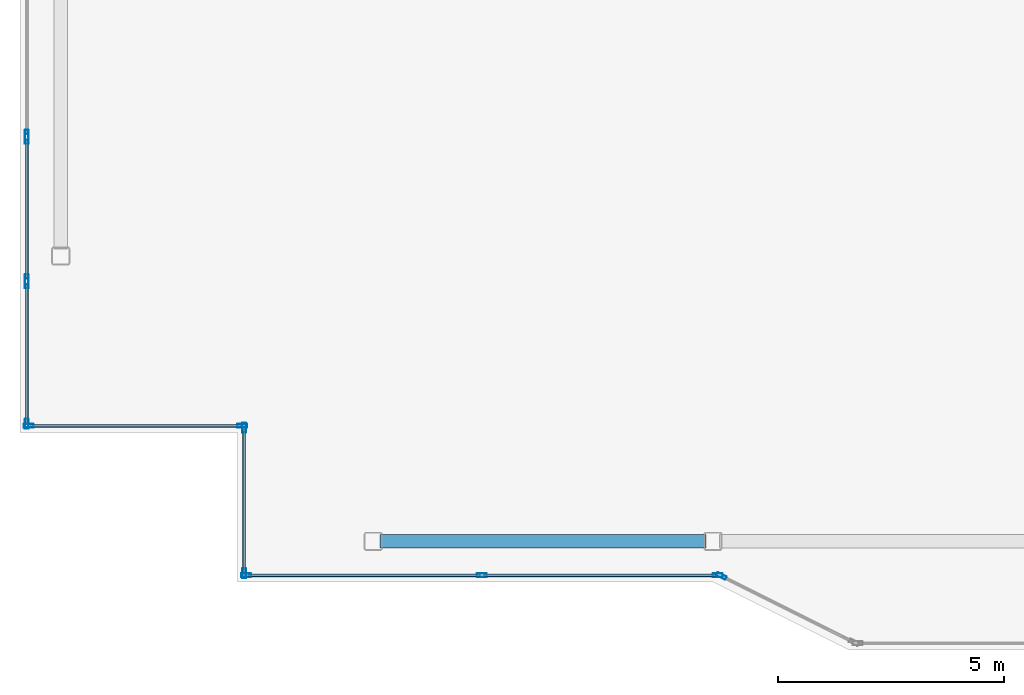
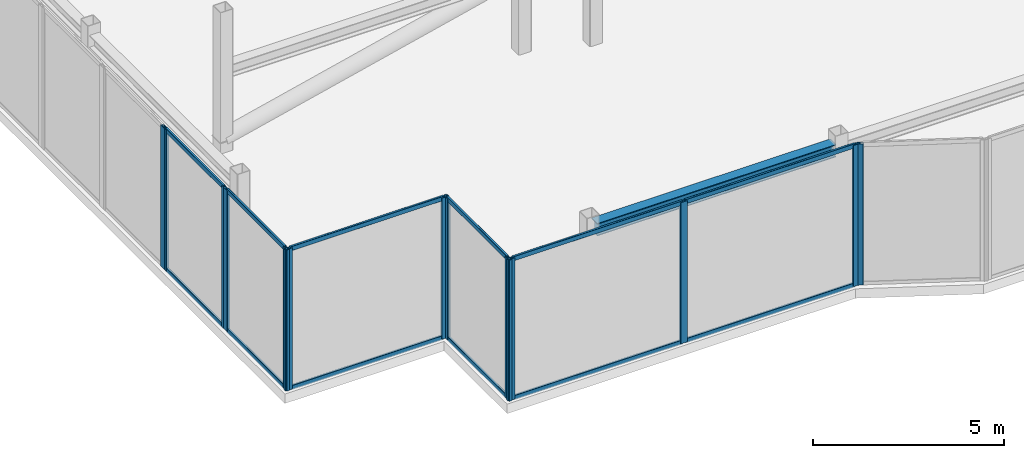
# One storey, part 2 of 14: 25 members, 1 beam, 7 elements without a shape of their own.
"""IFC4 building model written with IfcOpenShell, lengths in metres."""

import ifcopenshell
import ifcopenshell.guid

model = None  # the IFC model being written
_history = None  # IfcOwnerHistory: only IFC2X3 demands one
_inside = {}  # id of a spatial element -> (the spatial element, [elements in it])
_under = {}  # id of a project, library or spatial element -> (it, [spatial elements below it])
_declared = {}  # id of a project -> (the project, [libraries it declares])
_typed = {}  # id of a type object -> (the type object, [elements of that type])
_made_of = {}  # id of a material, layer set ... -> (it, [elements and type objects made of it])


def new_model(schema):
    """Start an empty IFC model of exactly this schema.

    Asked for "IFC4X3", IfcOpenShell would pick the latest addendum, in which some entities
    have other attributes; the version numbers below select the first issue.
    IFC2X3 requires an IfcOwnerHistory on every rooted entity: one is made here for all.
    """
    global model, _history
    if schema == "IFC4X3":
        model = ifcopenshell.file(schema_version=(4, 3, 0, 0))
    else:
        model = ifcopenshell.file(schema=schema)
    _inside.clear()
    _under.clear()
    _declared.clear()
    _typed.clear()
    _made_of.clear()
    _history = None
    if model.schema == "IFC2X3":
        org = make("IfcOrganization", Name="unknown")
        user = make(
            "IfcPersonAndOrganization",
            ThePerson=make("IfcPerson", FamilyName="unknown"),
            TheOrganization=org,
        )
        app = make(
            "IfcApplication",
            ApplicationDeveloper=org,
            Version="unknown",
            ApplicationFullName="unknown",
            ApplicationIdentifier="unknown",
        )
        _history = make(
            "IfcOwnerHistory",
            OwningUser=user,
            OwningApplication=app,
            ChangeAction="ADDED",
            CreationDate=0,
        )
    return model


def make(cls, **values):
    """One entity of the class cls with the attributes given. An attribute that is None is left unset."""
    return model.create_entity(
        cls, **{name: value for name, value in values.items() if value is not None}
    )


def rooted(cls, **values):
    """An entity with a GlobalId (a new one), such as an element, a storey or a relation."""
    return make(cls, GlobalId=ifcopenshell.guid.new(), OwnerHistory=_history, **values)


def si_unit(unit_type, name, prefix=None):
    """IfcSIUnit, for example si_unit("LENGTHUNIT", "METRE", prefix="MILLI")."""
    return make("IfcSIUnit", UnitType=unit_type, Prefix=prefix, Name=name)


def assignment(units):
    """IfcUnitAssignment: the units of a project."""
    return None if units is None else make("IfcUnitAssignment", Units=units)


def point(xyz):
    """IfcCartesianPoint."""
    return None if xyz is None else make("IfcCartesianPoint", Coordinates=xyz)


def direction(xyz):
    """IfcDirection."""
    return None if xyz is None else make("IfcDirection", DirectionRatios=xyz)


def frame(location, z_axis=None, x_axis=None):
    """IfcAxis2Placement3D, a coordinate frame: its origin and axes. An axis left out is left unset."""
    return make(
        "IfcAxis2Placement3D",
        Location=point(location),
        Axis=direction(z_axis),
        RefDirection=direction(x_axis),
    )


def frame_2d(location, x_axis=None):
    """IfcAxis2Placement2D, a coordinate frame in the plane: its origin and x axis."""
    return make(
        "IfcAxis2Placement2D", Location=point(location), RefDirection=direction(x_axis)
    )


def origin():
    """The frame at (0, 0, 0) with its axes left unset."""
    return frame((0.0, 0.0, 0.0))


def origin_2d():
    """The frame at (0, 0) in the plane with its x axis left unset."""
    return frame_2d((0.0, 0.0))


def place(relative_to, where):
    """IfcLocalPlacement: puts the frame where relative to a parent placement (None: the world)."""
    return make(
        "IfcLocalPlacement", PlacementRelTo=relative_to, RelativePlacement=where
    )


def context(
    kind, dimensions, precision=None, world=None, true_north=None, identifier=None
):
    """IfcGeometricRepresentationContext, for example the 3D "Model" context."""
    return make(
        "IfcGeometricRepresentationContext",
        ContextIdentifier=identifier,
        ContextType=kind,
        CoordinateSpaceDimension=dimensions,
        Precision=precision,
        WorldCoordinateSystem=world,
        TrueNorth=true_north,
    )


def subcontext(parent, identifier, kind, view, scale=None):
    """IfcGeometricRepresentationSubContext, for example "Body" below "Model"."""
    return make(
        "IfcGeometricRepresentationSubContext",
        ContextIdentifier=identifier,
        ContextType=kind,
        ParentContext=parent,
        TargetScale=scale,
        TargetView=view,
    )


def project(units=None, contexts=None):
    """IfcProject with its units and contexts."""
    return rooted(
        "IfcProject",
        Name="project",
        RepresentationContexts=contexts,
        UnitsInContext=assignment(units),
    )


def spatial(cls, under=None, at=None, **own):
    """A site, building, storey or space (cls), placed at a placement, below another one or the project."""
    s = rooted(cls, ObjectPlacement=at, **own)
    if under is not None:
        _under.setdefault(under.id(), (under, []))[1].append(s)
    return s


def profile(cls, at=None, kind="AREA", **sizes):
    """A parametric profile (cls). Its sizes go by their IFC names, for example OverallWidth=200.0."""
    return make(cls, ProfileType=kind, Position=at, **sizes)


def hollow_rectangle(**sizes):
    """IfcRectangleHollowProfileDef."""
    return profile("IfcRectangleHollowProfileDef", **sizes)


def i_section(**sizes):
    """IfcIShapeProfileDef."""
    return profile("IfcIShapeProfileDef", **sizes)


def extrude(swept, where, along, depth):
    """IfcExtrudedAreaSolid: the profile swept, set in the frame where, extruded along a direction by depth."""
    return make(
        "IfcExtrudedAreaSolid",
        SweptArea=swept,
        Position=where,
        ExtrudedDirection=direction(along),
        Depth=depth,
    )


def shape(context_of_items, identifier, shape_type, items):
    """IfcShapeRepresentation: the items that make up one representation, for example the "Body"."""
    return make(
        "IfcShapeRepresentation",
        ContextOfItems=context_of_items,
        RepresentationIdentifier=identifier,
        RepresentationType=shape_type,
        Items=items,
    )


def material(Name=None, Category=None):
    """IfcMaterial."""
    return make("IfcMaterial", Name=Name, Category=Category)


def layer(
    of_material, thickness, ventilated=None, Name=None, Category=None, Priority=None
):
    """IfcMaterialLayer: one layer of a wall or slab, of a material (None: an air gap)."""
    return make(
        "IfcMaterialLayer",
        Material=of_material,
        LayerThickness=thickness,
        IsVentilated=ventilated,
        Name=Name,
        Category=Category,
        Priority=Priority,
    )


def layer_set(layers, Name=None):
    """IfcMaterialLayerSet."""
    return make("IfcMaterialLayerSet", MaterialLayers=layers, LayerSetName=Name)


def material_profile(
    of_material, cross_section, Name=None, Category=None, Priority=None
):
    """IfcMaterialProfile: a cross section and its material."""
    return make(
        "IfcMaterialProfile",
        Name=Name,
        Material=of_material,
        Profile=cross_section,
        Priority=Priority,
        Category=Category,
    )


def profile_set(profiles, Name=None, composite=None):
    """IfcMaterialProfileSet."""
    return make(
        "IfcMaterialProfileSet",
        Name=Name,
        MaterialProfiles=profiles,
        CompositeProfile=composite,
    )


def made_of(thing, what):
    """Note that an element or type object is made of a material, layer set ...; save() writes the relation."""
    if what is not None:
        _made_of.setdefault(what.id(), (what, []))[1].append(thing)
    return thing


def type_object(cls, material=None, **own):
    """A type object (cls), such as IfcWallType, which elements share."""
    return made_of(rooted(cls, **own), material)


def element(
    cls,
    number,
    at=None,
    inside=None,
    cuts=None,
    type_object=None,
    material=None,
    context=None,
    identifier="Body",
    shape_type=None,
    held_by="IfcProductDefinitionShape",
    body=None,
    shapes=None,
    **own,
):
    """One element of the class cls, such as IfcWall. Its Tag is "e" and its number.

    at: its placement. inside: the storey or other place that contains it. cuts: it is an
    opening in that element (IfcRelVoidsElement). A single representation is given by context,
    identifier, shape_type and body (its items); several are given by shapes. held_by: the class
    of the entity that holds the representations. save() writes the other relations.
    """
    e = rooted(cls, Tag="e%d" % number, ObjectPlacement=at, **own)
    if body is not None:
        shapes = [shape(context, identifier, shape_type, body)]
    if shapes is not None:
        e.Representation = make(held_by, Representations=shapes)
    if inside is not None:
        _inside.setdefault(inside.id(), (inside, []))[1].append(e)
    if cuts is not None:
        rooted(
            "IfcRelVoidsElement", RelatingBuildingElement=cuts, RelatedOpeningElement=e
        )
    if type_object is not None:
        _typed.setdefault(type_object.id(), (type_object, []))[1].append(e)
    return made_of(e, material)


def aggregate(whole, parts):
    """IfcRelAggregates: a whole, such as a stair, and the parts it consists of."""
    return rooted("IfcRelAggregates", RelatingObject=whole, RelatedObjects=parts)


def save(model, path):
    """Write the relations noted so far, then the file.

    IfcRelAggregates (storeys below a building ...), IfcRelContainedInSpatialStructure (elements
    in a storey), IfcRelDefinesByType, IfcRelAssociatesMaterial and IfcRelDeclares: one each for
    every whole, place, type object, material and project.
    """
    for whole, parts in _under.values():
        aggregate(whole, parts)
    for where, things in _inside.values():
        rooted(
            "IfcRelContainedInSpatialStructure",
            RelatedElements=things,
            RelatingStructure=where,
        )
    for kind, things in _typed.values():
        rooted("IfcRelDefinesByType", RelatedObjects=things, RelatingType=kind)
    for what, things in _made_of.values():
        rooted("IfcRelAssociatesMaterial", RelatedObjects=things, RelatingMaterial=what)
    for by, libraries in _declared.values():
        rooted("IfcRelDeclares", RelatingContext=by, RelatedDefinitions=libraries)
    model.write(path)


model = new_model("IFC4")

# Units and contexts
model_context = context("Model", 3, precision=1e-05, world=origin(), true_north=direction((0.0, 1.0)))
body_context = subcontext(model_context, "Body", "Model", "MODEL_VIEW")
ifc_project = project(units=[si_unit("LENGTHUNIT", "METRE"), si_unit("AREAUNIT", "SQUARE_METRE"), si_unit("VOLUMEUNIT", "CUBIC_METRE"), si_unit("PLANEANGLEUNIT", "RADIAN"), si_unit("MASSUNIT", "GRAM", prefix="KILO")], contexts=[model_context])

# Site, building, storey
site_placement = place(None, origin())
site = spatial("IfcSite", under=ifc_project, at=site_placement, CompositionType="ELEMENT")
building_placement = place(site_placement, origin())
building = spatial("IfcBuilding", under=site, at=building_placement, Name="Tarnavaz Court Tower", CompositionType="ELEMENT")
storey_placement = place(building_placement, frame((0.0, 0.0, 286.050048828125)))
storey = spatial("IfcBuildingStorey", under=building, at=storey_placement, Name="C02", CompositionType="ELEMENT", Elevation=286.050048828125)

# Beam
ifc_material_1 = material(Name="Steel S355", Category="steel")
ifc_material_profile_1 = material_profile(ifc_material_1, i_section(OverallWidth=0.300048828125, OverallDepth=0.39990234375, WebThickness=0.013427734375, FlangeThickness=0.02392578125, FilletRadius=0.027099609375, at=origin_2d()), Name="HEB 400")
ifc_profile_set_1 = profile_set([ifc_material_profile_1], Name="Steel S355")
beam_type = type_object("IfcBeamType", Name="BM-G-HEB400", PredefinedType="USERDEFINED", material=ifc_profile_set_1)
beam_placement = place(storey_placement, frame((-14.85009765625, -20.10009765625, 4.0), z_axis=(1.0, 0.0, 0.0), x_axis=(0.0, 1.0, 0.0)))
element("IfcBeam", 1, at=beam_placement, inside=storey, type_object=beam_type, Name="C02 Beam CRG-PS-1-PS-2", ObjectType="GIRDER", PredefinedType="USERDEFINED", context=body_context, shape_type="SweptSolid", body=[
    extrude(i_section(OverallWidth=0.300048828125, OverallDepth=0.39990234375, WebThickness=0.013427734375, FlangeThickness=0.02392578125, FilletRadius=0.027099609375, at=origin_2d()), origin(), (0.0, 0.0, 1.0), 7.2001953125),
])

# Curtain wall, members
ifc_material_2 = material(Name="Anodised Aluminium 6063-T6 and Solar Low-E Glazing", Category="aluminium")
ifc_layer = layer(ifc_material_2, 0.2099609375)
ifc_layer_set = layer_set([ifc_layer], Name="Anodised Aluminium 6063-T6 and Solar Low-E Glazing")
curtain_wall_type = type_object("IfcCurtainWallType", Name="CW-SYS-06", PredefinedType="NOTDEFINED", material=ifc_layer_set)
curtain_wall_1_placement = place(storey_placement, origin())
curtain_wall_1 = element("IfcCurtainWall", 2, at=curtain_wall_1_placement, inside=storey, type_object=curtain_wall_type, Name="C02 Slanted Crown Terracotta Curtain Wall 1", PredefinedType="NOTDEFINED")
ifc_material_3 = material(Name="Anodised Aluminium 6063-T6", Category="aluminium")
ifc_material_profile_2 = material_profile(ifc_material_3, hollow_rectangle(XDim=0.0849609375, YDim=0.219970703125, WallThickness=0.006103515625, InnerFilletRadius=0.006103515625, OuterFilletRadius=0.011962890625, at=origin_2d()), Name="ALU RHS 220X85X6")
ifc_profile_set_2 = profile_set([ifc_material_profile_2], Name="Anodised Aluminium 6063-T6")
member_type_1 = type_object("IfcMemberType", Name="CW-MUL-220", PredefinedType="MULLION", material=ifc_profile_set_2)
member_1_placement = place(storey_placement, frame((-7.392578125, -20.85009765625, 0.0), z_axis=(0.0, 0.0, 1.0), x_axis=(0.0, -1.0, 0.0)))
member_1 = element("IfcMember", 3, at=member_1_placement, type_object=member_type_1, Name="CW mullion 1", PredefinedType="MULLION", context=body_context, shape_type="SweptSolid", body=[
    extrude(hollow_rectangle(XDim=0.0849609375, YDim=0.219970703125, WallThickness=0.006103515625, InnerFilletRadius=0.006103515625, OuterFilletRadius=0.011962890625, at=origin_2d()), origin(), (0.0, 0.0, 1.0), 4.5),
])
member_2_placement = place(storey_placement, frame((-12.60009765625, -20.85009765625, 0.0), z_axis=(0.0, 0.0, 1.0), x_axis=(0.0, -1.0, 0.0)))
member_2 = element("IfcMember", 4, at=member_2_placement, type_object=member_type_1, Name="CW mullion 2", PredefinedType="MULLION", context=body_context, shape_type="SweptSolid", body=[
    extrude(hollow_rectangle(XDim=0.0849609375, YDim=0.219970703125, WallThickness=0.006103515625, InnerFilletRadius=0.006103515625, OuterFilletRadius=0.011962890625, at=origin_2d()), origin(), (0.0, 0.0, 1.0), 4.5),
])
member_3_placement = place(storey_placement, frame((-17.8076171875, -20.85009765625, 0.0), z_axis=(0.0, 0.0, 1.0), x_axis=(0.0, -1.0, 0.0)))
member_3 = element("IfcMember", 5, at=member_3_placement, type_object=member_type_1, Name="CW mullion 3", PredefinedType="MULLION", context=body_context, shape_type="SweptSolid", body=[
    extrude(hollow_rectangle(XDim=0.0849609375, YDim=0.219970703125, WallThickness=0.006103515625, InnerFilletRadius=0.006103515625, OuterFilletRadius=0.011962890625, at=origin_2d()), origin(), (0.0, 0.0, 1.0), 4.5),
])

curtain_wall_2_placement = place(storey_placement, origin())
curtain_wall_2 = element("IfcCurtainWall", 6, at=curtain_wall_2_placement, inside=storey, type_object=curtain_wall_type, Name="C02 Slanted Crown Terracotta Curtain Wall 2", PredefinedType="NOTDEFINED")
member_4_placement = place(storey_placement, frame((-17.85009765625, -20.8076171875, 0.0), z_axis=(0.0, 0.0, 1.0), x_axis=(-1.0, 0.0, 0.0)))
member_4 = element("IfcMember", 7, at=member_4_placement, type_object=member_type_1, Name="CW mullion 1", PredefinedType="MULLION", context=body_context, shape_type="SweptSolid", body=[
    extrude(hollow_rectangle(XDim=0.0849609375, YDim=0.219970703125, WallThickness=0.006103515625, InnerFilletRadius=0.006103515625, OuterFilletRadius=0.011962890625, at=origin_2d()), origin(), (0.0, 0.0, 1.0), 4.5),
])
member_5_placement = place(storey_placement, frame((-17.85009765625, -17.592529296875, 0.0), z_axis=(0.0, 0.0, 1.0), x_axis=(-1.0, 0.0, 0.0)))
member_5 = element("IfcMember", 8, at=member_5_placement, type_object=member_type_1, Name="CW mullion 2", PredefinedType="MULLION", context=body_context, shape_type="SweptSolid", body=[
    extrude(hollow_rectangle(XDim=0.0849609375, YDim=0.219970703125, WallThickness=0.006103515625, InnerFilletRadius=0.006103515625, OuterFilletRadius=0.011962890625, at=origin_2d()), origin(), (0.0, 0.0, 1.0), 4.5),
])

curtain_wall_3_placement = place(storey_placement, origin())
curtain_wall_3 = element("IfcCurtainWall", 9, at=curtain_wall_3_placement, inside=storey, type_object=curtain_wall_type, Name="C02 Slanted Crown Terracotta Curtain Wall 3", PredefinedType="NOTDEFINED")
member_6_placement = place(storey_placement, frame((-17.892578125, -17.550048828125, 0.0), z_axis=(0.0, 0.0, 1.0), x_axis=(0.0, -1.0, 0.0)))
member_6 = element("IfcMember", 10, at=member_6_placement, type_object=member_type_1, Name="CW mullion 1", PredefinedType="MULLION", context=body_context, shape_type="SweptSolid", body=[
    extrude(hollow_rectangle(XDim=0.0849609375, YDim=0.219970703125, WallThickness=0.006103515625, InnerFilletRadius=0.006103515625, OuterFilletRadius=0.011962890625, at=origin_2d()), origin(), (0.0, 0.0, 1.0), 4.5),
])
member_7_placement = place(storey_placement, frame((-22.607421875, -17.550048828125, 0.0), z_axis=(0.0, 0.0, 1.0), x_axis=(0.0, -1.0, 0.0)))
member_7 = element("IfcMember", 11, at=member_7_placement, type_object=member_type_1, Name="CW mullion 2", PredefinedType="MULLION", context=body_context, shape_type="SweptSolid", body=[
    extrude(hollow_rectangle(XDim=0.0849609375, YDim=0.219970703125, WallThickness=0.006103515625, InnerFilletRadius=0.006103515625, OuterFilletRadius=0.011962890625, at=origin_2d()), origin(), (0.0, 0.0, 1.0), 4.5),
])

curtain_wall_4_placement = place(storey_placement, origin())
curtain_wall_4 = element("IfcCurtainWall", 12, at=curtain_wall_4_placement, inside=storey, type_object=curtain_wall_type, Name="C02 Slanted Crown Terracotta Curtain Wall 4", PredefinedType="NOTDEFINED")
member_8_placement = place(storey_placement, frame((-22.64990234375, -17.507568359375, 0.0), z_axis=(0.0, 0.0, 1.0), x_axis=(-1.0, 0.0, 0.0)))
member_8 = element("IfcMember", 13, at=member_8_placement, type_object=member_type_1, Name="CW mullion 1", PredefinedType="MULLION", context=body_context, shape_type="SweptSolid", body=[
    extrude(hollow_rectangle(XDim=0.0849609375, YDim=0.219970703125, WallThickness=0.006103515625, InnerFilletRadius=0.006103515625, OuterFilletRadius=0.011962890625, at=origin_2d()), origin(), (0.0, 0.0, 1.0), 4.5),
])
member_9_placement = place(storey_placement, frame((-22.64990234375, -14.401611328125, 0.0), z_axis=(0.0, 0.0, 1.0), x_axis=(-1.0, 0.0, 0.0)))
member_9 = element("IfcMember", 14, at=member_9_placement, type_object=member_type_1, Name="CW mullion 2", PredefinedType="MULLION", context=body_context, shape_type="SweptSolid", body=[
    extrude(hollow_rectangle(XDim=0.0849609375, YDim=0.219970703125, WallThickness=0.006103515625, InnerFilletRadius=0.006103515625, OuterFilletRadius=0.011962890625, at=origin_2d()), origin(), (0.0, 0.0, 1.0), 4.5),
])

curtain_wall_5_placement = place(storey_placement, origin())
curtain_wall_5 = element("IfcCurtainWall", 15, at=curtain_wall_5_placement, inside=storey, type_object=curtain_wall_type, Name="C02 Slanted Crown Terracotta Curtain Wall 5", PredefinedType="NOTDEFINED")
member_10_placement = place(storey_placement, frame((-22.64990234375, -14.316650390625, 0.0), z_axis=(0.0, 0.0, 1.0), x_axis=(-1.0, 0.0, 0.0)))
member_10 = element("IfcMember", 16, at=member_10_placement, type_object=member_type_1, Name="CW mullion 1", PredefinedType="MULLION", context=body_context, shape_type="SweptSolid", body=[
    extrude(hollow_rectangle(XDim=0.0849609375, YDim=0.219970703125, WallThickness=0.006103515625, InnerFilletRadius=0.006103515625, OuterFilletRadius=0.011962890625, at=origin_2d()), origin(), (0.0, 0.0, 1.0), 4.5),
])
member_11_placement = place(storey_placement, frame((-22.64990234375, -11.210693359375, 0.0), z_axis=(0.0, 0.0, 1.0), x_axis=(-1.0, 0.0, 0.0)))
member_11 = element("IfcMember", 17, at=member_11_placement, type_object=member_type_1, Name="CW mullion 2", PredefinedType="MULLION", context=body_context, shape_type="SweptSolid", body=[
    extrude(hollow_rectangle(XDim=0.0849609375, YDim=0.219970703125, WallThickness=0.006103515625, InnerFilletRadius=0.006103515625, OuterFilletRadius=0.011962890625, at=origin_2d()), origin(), (0.0, 0.0, 1.0), 4.5),
])

# Curtain wall, member
curtain_wall_6_placement = place(storey_placement, origin())
curtain_wall_6 = element("IfcCurtainWall", 18, at=curtain_wall_6_placement, inside=storey, type_object=curtain_wall_type, Name="C02 Slanted Crown Terracotta Curtain Wall 6", PredefinedType="NOTDEFINED")
member_12_placement = place(storey_placement, frame((-22.64990234375, -11.125732421875, 0.0), z_axis=(0.0, 0.0, 1.0), x_axis=(-1.0, 0.0, 0.0)))
member_12 = element("IfcMember", 19, at=member_12_placement, type_object=member_type_1, Name="CW mullion 1", PredefinedType="MULLION", context=body_context, shape_type="SweptSolid", body=[
    extrude(hollow_rectangle(XDim=0.0849609375, YDim=0.219970703125, WallThickness=0.006103515625, InnerFilletRadius=0.006103515625, OuterFilletRadius=0.011962890625, at=origin_2d()), origin(), (0.0, 0.0, 1.0), 4.5),
])
aggregate(curtain_wall_6, [member_12])

curtain_wall_7_placement = place(storey_placement, origin())
curtain_wall_7 = element("IfcCurtainWall", 20, at=curtain_wall_7_placement, inside=storey, type_object=curtain_wall_type, Name="C02 Slanted Crown Terracotta Curtain Wall 40", PredefinedType="NOTDEFINED")
member_13_placement = place(storey_placement, frame((-7.31201171875, -20.868896484375, 0.0), z_axis=(0.0, 0.0, 1.0), x_axis=(-0.447213595499, -0.894427191001, 0.0)))
member_13 = element("IfcMember", 21, at=member_13_placement, type_object=member_type_1, Name="CW mullion 2", PredefinedType="MULLION", context=body_context, shape_type="SweptSolid", body=[
    extrude(hollow_rectangle(XDim=0.0849609375, YDim=0.219970703125, WallThickness=0.006103515625, InnerFilletRadius=0.006103515625, OuterFilletRadius=0.011962890625, at=origin_2d()), origin(), (0.0, 0.0, 1.0), 4.5),
])
aggregate(curtain_wall_7, [member_13])

# Member
ifc_material_profile_3 = material_profile(ifc_material_3, hollow_rectangle(XDim=0.06494140625, YDim=0.139892578125, WallThickness=0.00390625, InnerFilletRadius=0.00390625, OuterFilletRadius=0.008056640625, at=origin_2d()), Name="ALU RHS 140X65X4")
ifc_profile_set_3 = profile_set([ifc_material_profile_3], Name="Anodised Aluminium 6063-T6")
member_type_2 = type_object("IfcMemberType", Name="CW-TRN-140", PredefinedType="USERDEFINED", material=ifc_profile_set_3)
member_14_placement = place(storey_placement, frame((-7.43505859375, -20.85009765625, 0.032470703125), z_axis=(-1.0, 0.0, 0.0), x_axis=(0.0, -1.0, 0.0)))
member_14 = element("IfcMember", 22, at=member_14_placement, type_object=member_type_2, Name="CW transom 1.1", ObjectType="TRANSOM", PredefinedType="USERDEFINED", context=body_context, shape_type="SweptSolid", body=[
    extrude(hollow_rectangle(XDim=0.06494140625, YDim=0.139892578125, WallThickness=0.00390625, InnerFilletRadius=0.00390625, OuterFilletRadius=0.008056640625, at=origin_2d()), origin(), (0.0, 0.0, 1.0), 5.12255859375),
])

member_15_placement = place(storey_placement, frame((-7.43505859375, -20.85009765625, 4.467529296875), z_axis=(-1.0, 0.0, 0.0), x_axis=(0.0, -1.0, 0.0)))
member_15 = element("IfcMember", 23, at=member_15_placement, type_object=member_type_2, Name="CW transom 1.2", ObjectType="TRANSOM", PredefinedType="USERDEFINED", context=body_context, shape_type="SweptSolid", body=[
    extrude(hollow_rectangle(XDim=0.06494140625, YDim=0.139892578125, WallThickness=0.00390625, InnerFilletRadius=0.00390625, OuterFilletRadius=0.008056640625, at=origin_2d()), origin(), (0.0, 0.0, 1.0), 5.12255859375),
])

member_16_placement = place(storey_placement, frame((-12.642578125, -20.85009765625, 0.032470703125), z_axis=(-1.0, 0.0, 0.0), x_axis=(0.0, -1.0, 0.0)))
member_16 = element("IfcMember", 24, at=member_16_placement, type_object=member_type_2, Name="CW transom 2.1", ObjectType="TRANSOM", PredefinedType="USERDEFINED", context=body_context, shape_type="SweptSolid", body=[
    extrude(hollow_rectangle(XDim=0.06494140625, YDim=0.139892578125, WallThickness=0.00390625, InnerFilletRadius=0.00390625, OuterFilletRadius=0.008056640625, at=origin_2d()), origin(), (0.0, 0.0, 1.0), 5.122314453125),
])

member_17_placement = place(storey_placement, frame((-12.642578125, -20.85009765625, 4.467529296875), z_axis=(-1.0, 0.0, 0.0), x_axis=(0.0, -1.0, 0.0)))
member_17 = element("IfcMember", 25, at=member_17_placement, type_object=member_type_2, Name="CW transom 2.2", ObjectType="TRANSOM", PredefinedType="USERDEFINED", context=body_context, shape_type="SweptSolid", body=[
    extrude(hollow_rectangle(XDim=0.06494140625, YDim=0.139892578125, WallThickness=0.00390625, InnerFilletRadius=0.00390625, OuterFilletRadius=0.008056640625, at=origin_2d()), origin(), (0.0, 0.0, 1.0), 5.122314453125),
])

aggregate(curtain_wall_1, [member_1, member_2, member_3, member_14, member_15, member_16, member_17])

member_18_placement = place(storey_placement, frame((-17.85009765625, -20.764892578125, 0.032470703125), z_axis=(0.0, 1.0, 0.0), x_axis=(-1.0, 0.0, 0.0)))
member_18 = element("IfcMember", 26, at=member_18_placement, type_object=member_type_2, Name="CW transom 1.1", ObjectType="TRANSOM", PredefinedType="USERDEFINED", context=body_context, shape_type="SweptSolid", body=[
    extrude(hollow_rectangle(XDim=0.06494140625, YDim=0.139892578125, WallThickness=0.00390625, InnerFilletRadius=0.00390625, OuterFilletRadius=0.008056640625, at=origin_2d()), origin(), (0.0, 0.0, 1.0), 3.1298828125),
])

member_19_placement = place(storey_placement, frame((-17.85009765625, -20.764892578125, 4.467529296875), z_axis=(0.0, 1.0, 0.0), x_axis=(-1.0, 0.0, 0.0)))
member_19 = element("IfcMember", 27, at=member_19_placement, type_object=member_type_2, Name="CW transom 1.2", ObjectType="TRANSOM", PredefinedType="USERDEFINED", context=body_context, shape_type="SweptSolid", body=[
    extrude(hollow_rectangle(XDim=0.06494140625, YDim=0.139892578125, WallThickness=0.00390625, InnerFilletRadius=0.00390625, OuterFilletRadius=0.008056640625, at=origin_2d()), origin(), (0.0, 0.0, 1.0), 3.1298828125),
])

aggregate(curtain_wall_2, [member_4, member_5, member_18, member_19])

member_20_placement = place(storey_placement, frame((-17.93505859375, -17.550048828125, 0.032470703125), z_axis=(-1.0, 0.0, 0.0), x_axis=(0.0, -1.0, 0.0)))
member_20 = element("IfcMember", 28, at=member_20_placement, type_object=member_type_2, Name="CW transom 1.1", ObjectType="TRANSOM", PredefinedType="USERDEFINED", context=body_context, shape_type="SweptSolid", body=[
    extrude(hollow_rectangle(XDim=0.06494140625, YDim=0.139892578125, WallThickness=0.00390625, InnerFilletRadius=0.00390625, OuterFilletRadius=0.008056640625, at=origin_2d()), origin(), (0.0, 0.0, 1.0), 4.6298828125),
])

member_21_placement = place(storey_placement, frame((-17.93505859375, -17.550048828125, 4.467529296875), z_axis=(-1.0, 0.0, 0.0), x_axis=(0.0, -1.0, 0.0)))
member_21 = element("IfcMember", 29, at=member_21_placement, type_object=member_type_2, Name="CW transom 1.2", ObjectType="TRANSOM", PredefinedType="USERDEFINED", context=body_context, shape_type="SweptSolid", body=[
    extrude(hollow_rectangle(XDim=0.06494140625, YDim=0.139892578125, WallThickness=0.00390625, InnerFilletRadius=0.00390625, OuterFilletRadius=0.008056640625, at=origin_2d()), origin(), (0.0, 0.0, 1.0), 4.6298828125),
])

aggregate(curtain_wall_3, [member_6, member_7, member_20, member_21])

member_22_placement = place(storey_placement, frame((-22.64990234375, -17.465087890625, 0.032470703125), z_axis=(0.0, 1.0, 0.0), x_axis=(-1.0, 0.0, 0.0)))
member_22 = element("IfcMember", 30, at=member_22_placement, type_object=member_type_2, Name="CW transom 1.1", ObjectType="TRANSOM", PredefinedType="USERDEFINED", context=body_context, shape_type="SweptSolid", body=[
    extrude(hollow_rectangle(XDim=0.06494140625, YDim=0.139892578125, WallThickness=0.00390625, InnerFilletRadius=0.00390625, OuterFilletRadius=0.008056640625, at=origin_2d()), origin(), (0.0, 0.0, 1.0), 3.02099609375),
])

member_23_placement = place(storey_placement, frame((-22.64990234375, -17.465087890625, 4.467529296875), z_axis=(0.0, 1.0, 0.0), x_axis=(-1.0, 0.0, 0.0)))
member_23 = element("IfcMember", 31, at=member_23_placement, type_object=member_type_2, Name="CW transom 1.2", ObjectType="TRANSOM", PredefinedType="USERDEFINED", context=body_context, shape_type="SweptSolid", body=[
    extrude(hollow_rectangle(XDim=0.06494140625, YDim=0.139892578125, WallThickness=0.00390625, InnerFilletRadius=0.00390625, OuterFilletRadius=0.008056640625, at=origin_2d()), origin(), (0.0, 0.0, 1.0), 3.02099609375),
])

aggregate(curtain_wall_4, [member_8, member_9, member_22, member_23])

member_24_placement = place(storey_placement, frame((-22.64990234375, -14.274169921875, 0.032470703125), z_axis=(0.0, 1.0, 0.0), x_axis=(-1.0, 0.0, 0.0)))
member_24 = element("IfcMember", 32, at=member_24_placement, type_object=member_type_2, Name="CW transom 1.1", ObjectType="TRANSOM", PredefinedType="USERDEFINED", context=body_context, shape_type="SweptSolid", body=[
    extrude(hollow_rectangle(XDim=0.06494140625, YDim=0.139892578125, WallThickness=0.00390625, InnerFilletRadius=0.00390625, OuterFilletRadius=0.008056640625, at=origin_2d()), origin(), (0.0, 0.0, 1.0), 3.02099609375),
])

member_25_placement = place(storey_placement, frame((-22.64990234375, -14.274169921875, 4.467529296875), z_axis=(0.0, 1.0, 0.0), x_axis=(-1.0, 0.0, 0.0)))
member_25 = element("IfcMember", 33, at=member_25_placement, type_object=member_type_2, Name="CW transom 1.2", ObjectType="TRANSOM", PredefinedType="USERDEFINED", context=body_context, shape_type="SweptSolid", body=[
    extrude(hollow_rectangle(XDim=0.06494140625, YDim=0.139892578125, WallThickness=0.00390625, InnerFilletRadius=0.00390625, OuterFilletRadius=0.008056640625, at=origin_2d()), origin(), (0.0, 0.0, 1.0), 3.02099609375),
])

aggregate(curtain_wall_5, [member_10, member_11, member_24, member_25])

save(model, "model.ifc")
